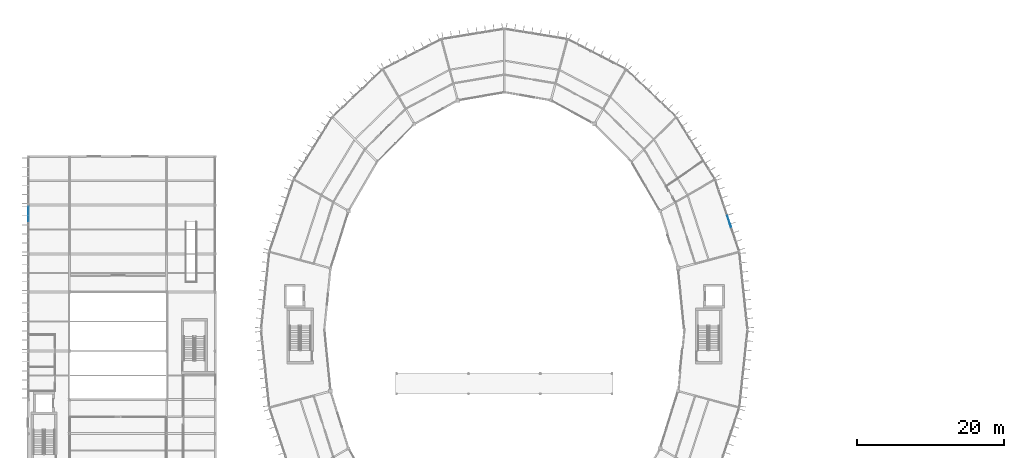
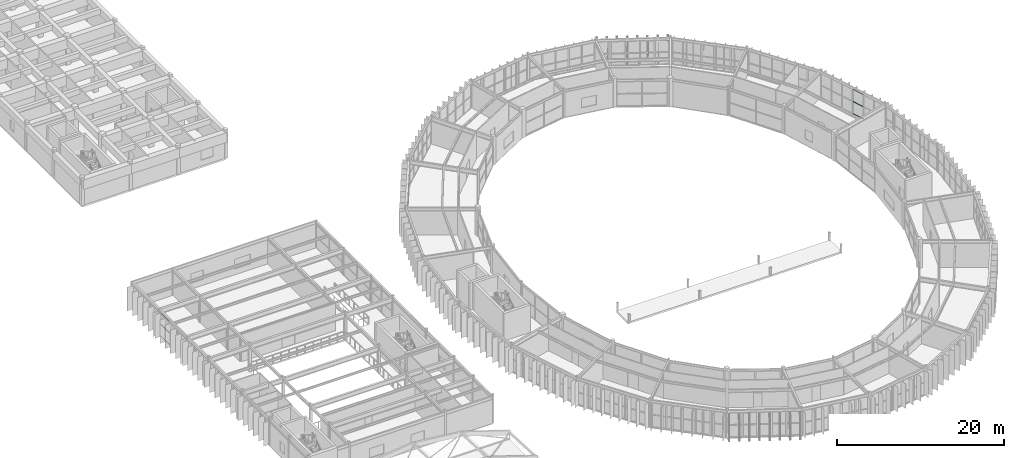
# One storey, part 77 of 157: 6 members, 2 elements without a shape of their own.
"""IFC4 building model written with IfcOpenShell, lengths in metres."""

from ifc_helpers import new_model, si_unit, direction, frame, origin, origin_2d, place, context, subcontext, project, spatial, hollow_rectangle, extrude, material, material_profile, profile_set, type_object, element, aggregate, save


model = new_model("IFC4")

# Units and contexts
model_context = context("Model", 3, precision=1e-05, world=origin(), true_north=direction((0.0, 1.0)))
body_context = subcontext(model_context, "Body", "Model", "MODEL_VIEW")
ifc_project = project(units=[si_unit("LENGTHUNIT", "METRE"), si_unit("AREAUNIT", "SQUARE_METRE"), si_unit("VOLUMEUNIT", "CUBIC_METRE"), si_unit("PLANEANGLEUNIT", "RADIAN"), si_unit("MASSUNIT", "GRAM", prefix="KILO")], contexts=[model_context])

# Site, building, storey
site_placement = place(None, origin())
site = spatial("IfcSite", under=ifc_project, at=site_placement, CompositionType="ELEMENT")
building_placement = place(site_placement, origin())
building = spatial("IfcBuilding", under=site, at=building_placement, Name="Karori Crest Natural Sciences Institute", CompositionType="ELEMENT")
storey_placement = place(building_placement, frame((0.0, 0.0, 13.300048828125)))
storey = spatial("IfcBuildingStorey", under=building, at=storey_placement, Name="L03", CompositionType="ELEMENT", Elevation=13.300048828125)

# Curtain wall, members
ifc_material = material(Name="Anodised architectural aluminium 6063-T6", Category="aluminium")
curtain_wall_type_1 = type_object("IfcCurtainWallType", Name="CWT-02", PredefinedType="NOTDEFINED", material=ifc_material)
curtain_wall_1_placement = place(storey_placement, origin())
curtain_wall_1 = element("IfcCurtainWall", 1, at=curtain_wall_1_placement, inside=storey, type_object=curtain_wall_type_1, Name="Curtain wall CW-0102", PredefinedType="NOTDEFINED")
ifc_material_profile = material_profile(ifc_material, hollow_rectangle(XDim=0.06005859375, YDim=0.1201171875, WallThickness=0.00390625, at=origin_2d()), Name="CWT120x60x4")
ifc_profile_set = profile_set([ifc_material_profile], Name="Anodised architectural aluminium 6063-T6")
member_type = type_object("IfcMemberType", Name="CWT-TR1", PredefinedType="USERDEFINED", material=ifc_profile_set)
member_1_placement = place(storey_placement, frame((96.6298828125, 65.3720703125, 0.030029296875), z_axis=(0.317621421426, -0.948217608279, 0.0), x_axis=(0.948217608279, 0.317621421426, 0.0)))
member_1 = element("IfcMember", 2, at=member_1_placement, type_object=member_type, Name="CW-0102 transom 4.1", ObjectType="TRANSOM", PredefinedType="USERDEFINED", context=body_context, shape_type="SweptSolid", body=[
    extrude(hollow_rectangle(XDim=0.06005859375, YDim=0.1201171875, WallThickness=0.00390625, at=origin_2d()), origin(), (0.0, 0.0, 1.0), 1.628662109375),
])
member_2_placement = place(storey_placement, frame((96.6298828125, 65.3720703125, 1.8125), z_axis=(0.317621421426, -0.948217608279, 0.0), x_axis=(0.948217608279, 0.317621421426, 0.0)))
member_2 = element("IfcMember", 3, at=member_2_placement, type_object=member_type, Name="CW-0102 transom 4.2", ObjectType="TRANSOM", PredefinedType="USERDEFINED", context=body_context, shape_type="SweptSolid", body=[
    extrude(hollow_rectangle(XDim=0.06005859375, YDim=0.1201171875, WallThickness=0.00390625, at=origin_2d()), origin(), (0.0, 0.0, 1.0), 1.628662109375),
])
member_3_placement = place(storey_placement, frame((96.6298828125, 65.3720703125, 3.594970703125), z_axis=(0.317621421426, -0.948217608279, 0.0), x_axis=(0.948217608279, 0.317621421426, 0.0)))
member_3 = element("IfcMember", 4, at=member_3_placement, type_object=member_type, Name="CW-0102 transom 4.3", ObjectType="TRANSOM", PredefinedType="USERDEFINED", context=body_context, shape_type="SweptSolid", body=[
    extrude(hollow_rectangle(XDim=0.06005859375, YDim=0.1201171875, WallThickness=0.00390625, at=origin_2d()), origin(), (0.0, 0.0, 1.0), 1.628662109375),
])
aggregate(curtain_wall_1, [member_1, member_2, member_3])

curtain_wall_type_2 = type_object("IfcCurtainWallType", Name="CWT-17", PredefinedType="NOTDEFINED", material=ifc_material)
curtain_wall_2_placement = place(storey_placement, origin())
curtain_wall_2 = element("IfcCurtainWall", 5, at=curtain_wall_2_placement, inside=storey, type_object=curtain_wall_type_2, Name="Curtain wall CW-0281", PredefinedType="NOTDEFINED")
member_4_placement = place(storey_placement, frame((1.860107421875, 64.591552734375, 0.030029296875), z_axis=(0.0, 1.0, 0.0), x_axis=(-1.0, 0.0, 0.0)))
member_4 = element("IfcMember", 6, at=member_4_placement, type_object=member_type, Name="CW-0281 transom 3.1", ObjectType="TRANSOM", PredefinedType="USERDEFINED", context=body_context, shape_type="SweptSolid", body=[
    extrude(hollow_rectangle(XDim=0.06005859375, YDim=0.1201171875, WallThickness=0.00390625, at=origin_2d()), origin(), (0.0, 0.0, 1.0), 2.0205078125),
])
member_5_placement = place(storey_placement, frame((1.860107421875, 64.591552734375, 1.722412109375), z_axis=(0.0, 1.0, 0.0), x_axis=(-1.0, 0.0, 0.0)))
member_5 = element("IfcMember", 7, at=member_5_placement, type_object=member_type, Name="CW-0281 transom 3.2", ObjectType="TRANSOM", PredefinedType="USERDEFINED", context=body_context, shape_type="SweptSolid", body=[
    extrude(hollow_rectangle(XDim=0.06005859375, YDim=0.1201171875, WallThickness=0.00390625, at=origin_2d()), origin(), (0.0, 0.0, 1.0), 2.0205078125),
])
member_6_placement = place(storey_placement, frame((1.860107421875, 64.591552734375, 3.4150390625), z_axis=(0.0, 1.0, 0.0), x_axis=(-1.0, 0.0, 0.0)))
member_6 = element("IfcMember", 8, at=member_6_placement, type_object=member_type, Name="CW-0281 transom 3.3", ObjectType="TRANSOM", PredefinedType="USERDEFINED", context=body_context, shape_type="SweptSolid", body=[
    extrude(hollow_rectangle(XDim=0.06005859375, YDim=0.1201171875, WallThickness=0.00390625, at=origin_2d()), origin(), (0.0, 0.0, 1.0), 2.0205078125),
])
aggregate(curtain_wall_2, [member_4, member_5, member_6])

save(model, "model.ifc")
